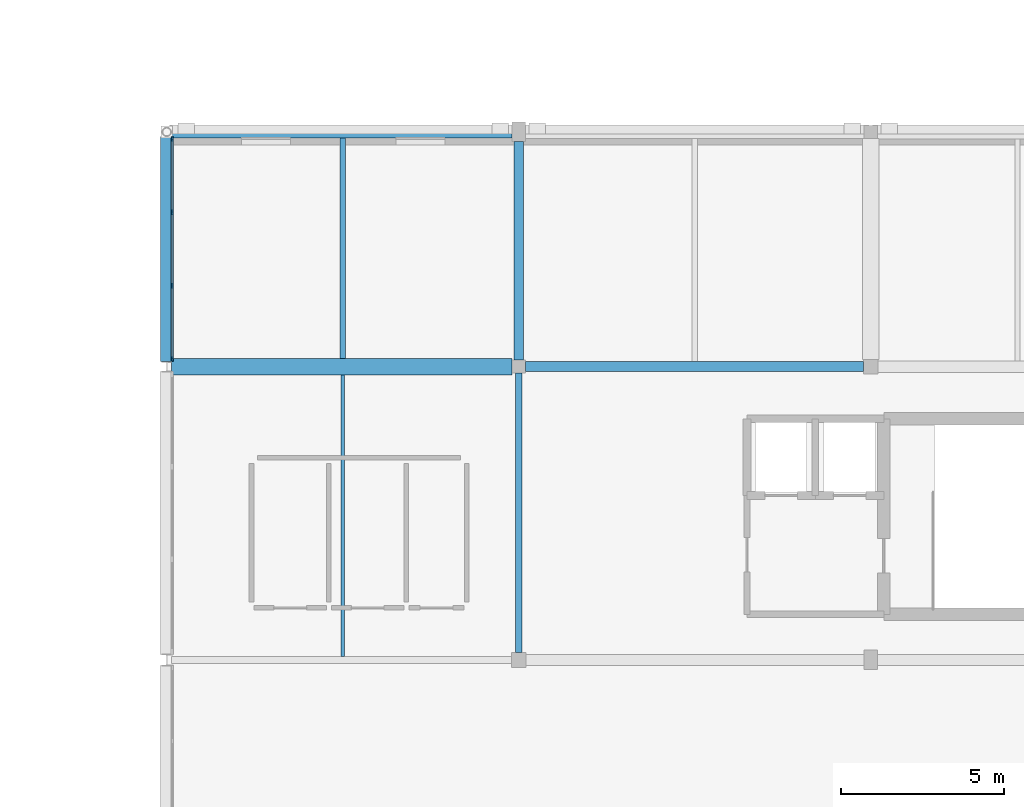
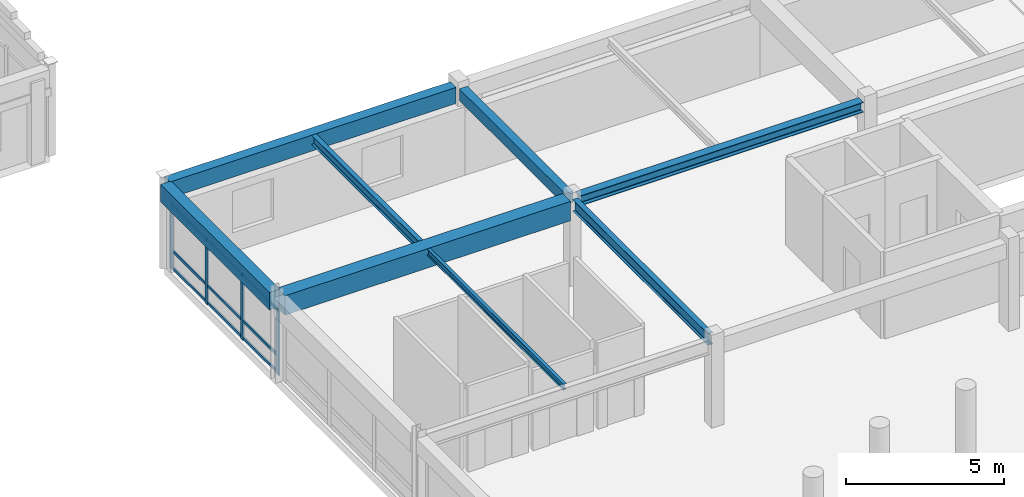
# One storey, part 20 of 52: 13 members, 8 beams, 1 element without a shape of its own.
"""IFC4 building model written with IfcOpenShell, lengths in metres."""

from ifc_helpers import new_model, si_unit, direction, frame, origin, origin_2d, place, context, subcontext, project, spatial, rectangle, i_section, extrude, material, material_profile, profile_set, type_object, element, aggregate, save


model = new_model("IFC4")

# Units and contexts
model_context = context("Model", 3, precision=1e-05, world=origin(), true_north=direction((0.0, 1.0)))
body_context = subcontext(model_context, "Body", "Model", "MODEL_VIEW")
ifc_project = project(units=[si_unit("LENGTHUNIT", "METRE"), si_unit("AREAUNIT", "SQUARE_METRE"), si_unit("VOLUMEUNIT", "CUBIC_METRE"), si_unit("PLANEANGLEUNIT", "RADIAN"), si_unit("MASSUNIT", "GRAM", prefix="KILO")], contexts=[model_context])

# Site, building, storey
site_placement = place(None, origin())
site = spatial("IfcSite", under=ifc_project, at=site_placement, CompositionType="ELEMENT")
building_placement = place(site_placement, origin())
building = spatial("IfcBuilding", under=site, at=building_placement, Name="Clarverna Civic Hall", CompositionType="ELEMENT")
storey_placement = place(building_placement, frame((0.0, 0.0, 16.800048828125)))
storey = spatial("IfcBuildingStorey", under=building, at=storey_placement, Name="L04", CompositionType="ELEMENT", Elevation=16.800048828125)

# Beams
ifc_material_1 = material(Name="Concrete C35/45", Category="concrete")
ifc_material_profile_1 = material_profile(ifc_material_1, rectangle(XDim=0.5, YDim=0.75, at=origin_2d()), Name="RC 500x750")
ifc_profile_set_1 = profile_set([ifc_material_profile_1], Name="Concrete C35/45")
beam_type_1 = type_object("IfcBeamType", Name="B-RC15", PredefinedType="BEAM", material=ifc_profile_set_1)
beam_1_placement = place(storey_placement, frame((66.75, 87.800048828125, 2.96484375), z_axis=(1.0, 0.0, 0.0), x_axis=(0.0, 1.0, 0.0)))
element("IfcBeam", 1, at=beam_1_placement, inside=storey, type_object=beam_type_1, Name="B-RC15-046", PredefinedType="BEAM", context=body_context, shape_type="SweptSolid", body=[
    extrude(rectangle(XDim=0.5, YDim=0.75, at=origin_2d()), origin(), (0.0, 0.0, 1.0), 10.449951171875),
])
ifc_material_profile_2 = material_profile(ifc_material_1, rectangle(XDim=0.300048828125, YDim=0.449951171875, at=origin_2d()), Name="RC 300x450")
ifc_profile_set_2 = profile_set([ifc_material_profile_2], Name="Concrete C35/45")
beam_type_2 = type_object("IfcBeamType", Name="B-RC18", PredefinedType="BEAM", material=ifc_profile_set_2)
beam_2_placement = place(storey_placement, frame((77.39990234375, 88.0, 3.114990234375), z_axis=(0.0, 1.0, 0.0), x_axis=(-1.0, 0.0, 0.0)))
element("IfcBeam", 2, at=beam_2_placement, inside=storey, type_object=beam_type_2, Name="B-RC18-042", PredefinedType="BEAM", context=body_context, shape_type="SweptSolid", body=[
    extrude(rectangle(XDim=0.300048828125, YDim=0.449951171875, at=origin_2d()), origin(), (0.0, 0.0, 1.0), 6.699951171875),
])
ifc_material_profile_3 = material_profile(ifc_material_1, rectangle(XDim=0.3798828125, YDim=0.679931640625, at=origin_2d()), Name="RC 380x680")
ifc_profile_set_3 = profile_set([ifc_material_profile_3], Name="Concrete C35/45")
beam_type_3 = type_object("IfcBeamType", Name="B-SP2", PredefinedType="SPANDREL", material=ifc_profile_set_3)
beam_3_placement = place(storey_placement, frame((66.60009765625, 87.955078125, 3.0), z_axis=(0.0, 1.0, 0.0), x_axis=(-1.0, 0.0, 0.0)))
element("IfcBeam", 3, at=beam_3_placement, inside=storey, type_object=beam_type_3, Name="B-SP2-146", PredefinedType="SPANDREL", context=body_context, shape_type="SweptSolid", body=[
    extrude(rectangle(XDim=0.3798828125, YDim=0.679931640625, at=origin_2d()), origin(), (0.0, 0.0, 1.0), 6.908447265625),
])
ifc_material_profile_4 = material_profile(ifc_material_1, rectangle(XDim=0.360107421875, YDim=0.6201171875, at=origin_2d()), Name="RC 360x620")
ifc_profile_set_4 = profile_set([ifc_material_profile_4], Name="Concrete C35/45")
beam_type_4 = type_object("IfcBeamType", Name="B-SP3", PredefinedType="SPANDREL", material=ifc_profile_set_4)
beam_4_placement = place(storey_placement, frame((66.736572265625, 95.0, 3.030029296875), z_axis=(1.0, 0.0, 0.0), x_axis=(0.0, 1.0, 0.0)))
element("IfcBeam", 4, at=beam_4_placement, inside=storey, type_object=beam_type_4, Name="B-SP3-133", PredefinedType="SPANDREL", context=body_context, shape_type="SweptSolid", body=[
    extrude(rectangle(XDim=0.360107421875, YDim=0.6201171875, at=origin_2d()), origin(), (0.0, 0.0, 1.0), 10.46337890625),
])
ifc_material_2 = material(Name="Steel S355", Category="steel")
ifc_material_profile_5 = material_profile(ifc_material_2, i_section(OverallWidth=0.18994140625, OverallDepth=0.449951171875, WebThickness=0.009521484375, FlangeThickness=0.0146484375, FilletRadius=0.02099609375, at=origin_2d()), Name="IPE 450")
ifc_profile_set_5 = profile_set([ifc_material_profile_5], Name="Steel S355")
beam_type_5 = type_object("IfcBeamType", Name="B-ST13", PredefinedType="BEAM", material=ifc_profile_set_5)
beam_5_placement = place(storey_placement, frame((77.39990234375, 79.02490234375, 3.114990234375), z_axis=(0.0, 1.0, 0.0), x_axis=(-1.0, 0.0, 0.0)))
element("IfcBeam", 5, at=beam_5_placement, inside=storey, type_object=beam_type_5, Name="B-ST13-022", PredefinedType="BEAM", context=body_context, shape_type="SweptSolid", body=[
    extrude(i_section(OverallWidth=0.18994140625, OverallDepth=0.449951171875, WebThickness=0.009521484375, FlangeThickness=0.0146484375, FilletRadius=0.02099609375, at=origin_2d()), origin(), (0.0, 0.0, 1.0), 8.5751953125),
])
ifc_material_profile_6 = material_profile(ifc_material_2, i_section(OverallWidth=0.300048828125, OverallDepth=0.389892578125, WebThickness=0.010986328125, FlangeThickness=0.01904296875, FilletRadius=0.027099609375, at=origin_2d()), Name="HEA 400")
ifc_profile_set_6 = profile_set([ifc_material_profile_6], Name="Steel S355")
beam_type_6 = type_object("IfcBeamType", Name="B-ST6", PredefinedType="BEAM", material=ifc_profile_set_6)
beam_6_placement = place(storey_placement, frame((77.60009765625, 87.800048828125, 3.14501953125), z_axis=(1.0, 0.0, 0.0), x_axis=(0.0, 1.0, 0.0)))
element("IfcBeam", 6, at=beam_6_placement, inside=storey, type_object=beam_type_6, Name="B-ST6-018", PredefinedType="BEAM", context=body_context, shape_type="SweptSolid", body=[
    extrude(i_section(OverallWidth=0.300048828125, OverallDepth=0.389892578125, WebThickness=0.010986328125, FlangeThickness=0.01904296875, FilletRadius=0.027099609375, at=origin_2d()), origin(), (0.0, 0.0, 1.0), 10.375),
])

# Curtain wall, members
ifc_material_3 = material(Name="Anodised Bronze Architectural Aluminium", Category="aluminium")
curtain_wall_type = type_object("IfcCurtainWallType", Name="CW-06", PredefinedType="USERDEFINED", material=ifc_material_3)
curtain_wall_placement = place(storey_placement, origin())
curtain_wall = element("IfcCurtainWall", 7, at=curtain_wall_placement, inside=storey, type_object=curtain_wall_type, Name="CW-06-006", ObjectType="UNITISED CURTAIN WALL", PredefinedType="USERDEFINED")
ifc_material_profile_7 = material_profile(ifc_material_3, rectangle(XDim=0.054931640625, YDim=0.139892578125, at=origin_2d()), Name="BRONZE 55x140")
ifc_profile_set_7 = profile_set([ifc_material_profile_7], Name="Anodised Bronze Architectural Aluminium")
member_type_1 = type_object("IfcMemberType", Name="CWM-04", PredefinedType="MULLION", material=ifc_profile_set_7)
member_1_placement = place(storey_placement, frame((66.764892578125, 88.028076171875, 0.0), z_axis=(0.0, 0.0, 1.0), x_axis=(1.0, 0.0, 0.0)))
member_1 = element("IfcMember", 8, at=member_1_placement, type_object=member_type_1, Name="CWM-04-207", PredefinedType="MULLION", context=body_context, shape_type="SweptSolid", body=[
    extrude(rectangle(XDim=0.054931640625, YDim=0.139892578125, at=origin_2d()), origin(), (0.0, 0.0, 1.0), 2.58984375),
])
member_2_placement = place(storey_placement, frame((66.764892578125, 90.2822265625, 0.0), z_axis=(0.0, 0.0, 1.0), x_axis=(1.0, 0.0, 0.0)))
member_2 = element("IfcMember", 9, at=member_2_placement, type_object=member_type_1, Name="CWM-04-208", PredefinedType="MULLION", context=body_context, shape_type="SweptSolid", body=[
    extrude(rectangle(XDim=0.054931640625, YDim=0.139892578125, at=origin_2d()), origin(), (0.0, 0.0, 1.0), 2.58984375),
])
member_3_placement = place(storey_placement, frame((66.764892578125, 92.536376953125, 0.0), z_axis=(0.0, 0.0, 1.0), x_axis=(1.0, 0.0, 0.0)))
member_3 = element("IfcMember", 10, at=member_3_placement, type_object=member_type_1, Name="CWM-04-209", PredefinedType="MULLION", context=body_context, shape_type="SweptSolid", body=[
    extrude(rectangle(XDim=0.054931640625, YDim=0.139892578125, at=origin_2d()), origin(), (0.0, 0.0, 1.0), 2.58984375),
])
member_4_placement = place(storey_placement, frame((66.764892578125, 94.79052734375, 0.0), z_axis=(0.0, 0.0, 1.0), x_axis=(1.0, 0.0, 0.0)))
member_4 = element("IfcMember", 11, at=member_4_placement, type_object=member_type_1, Name="CWM-04-210", PredefinedType="MULLION", context=body_context, shape_type="SweptSolid", body=[
    extrude(rectangle(XDim=0.054931640625, YDim=0.139892578125, at=origin_2d()), origin(), (0.0, 0.0, 1.0), 2.58984375),
])
ifc_material_profile_8 = material_profile(ifc_material_3, rectangle(XDim=0.054931640625, YDim=0.110107421875, at=origin_2d()), Name="BRONZE 55x110")
ifc_profile_set_8 = profile_set([ifc_material_profile_8], Name="Anodised Bronze Architectural Aluminium")
member_type_2 = type_object("IfcMemberType", Name="CWT-04", PredefinedType="USERDEFINED", material=ifc_profile_set_8)
member_5_placement = place(storey_placement, frame((66.764892578125, 88.04296875, 0.094970703125), z_axis=(0.0, 1.0, 0.0), x_axis=(-1.0, 0.0, 0.0)))
member_5 = element("IfcMember", 12, at=member_5_placement, type_object=member_type_2, Name="CWT-04-439", ObjectType="TRANSOM", PredefinedType="USERDEFINED", context=body_context, shape_type="SweptSolid", body=[
    extrude(rectangle(XDim=0.054931640625, YDim=0.110107421875, at=origin_2d()), origin(), (0.0, 0.0, 1.0), 2.22412109375),
])
member_6_placement = place(storey_placement, frame((66.764892578125, 88.04296875, 0.75), z_axis=(0.0, 1.0, 0.0), x_axis=(-1.0, 0.0, 0.0)))
member_6 = element("IfcMember", 13, at=member_6_placement, type_object=member_type_2, Name="CWT-04-440", ObjectType="TRANSOM", PredefinedType="USERDEFINED", context=body_context, shape_type="SweptSolid", body=[
    extrude(rectangle(XDim=0.054931640625, YDim=0.110107421875, at=origin_2d()), origin(), (0.0, 0.0, 1.0), 2.22412109375),
])
member_7_placement = place(storey_placement, frame((66.764892578125, 88.04296875, 2.494873046875), z_axis=(0.0, 1.0, 0.0), x_axis=(-1.0, 0.0, 0.0)))
member_7 = element("IfcMember", 14, at=member_7_placement, type_object=member_type_2, Name="CWT-04-441", ObjectType="TRANSOM", PredefinedType="USERDEFINED", context=body_context, shape_type="SweptSolid", body=[
    extrude(rectangle(XDim=0.054931640625, YDim=0.110107421875, at=origin_2d()), origin(), (0.0, 0.0, 1.0), 2.22412109375),
])
member_8_placement = place(storey_placement, frame((66.764892578125, 90.297119140625, 0.094970703125), z_axis=(0.0, 1.0, 0.0), x_axis=(-1.0, 0.0, 0.0)))
member_8 = element("IfcMember", 15, at=member_8_placement, type_object=member_type_2, Name="CWT-04-442", ObjectType="TRANSOM", PredefinedType="USERDEFINED", context=body_context, shape_type="SweptSolid", body=[
    extrude(rectangle(XDim=0.054931640625, YDim=0.110107421875, at=origin_2d()), origin(), (0.0, 0.0, 1.0), 2.22412109375),
])
member_9_placement = place(storey_placement, frame((66.764892578125, 90.297119140625, 0.75), z_axis=(0.0, 1.0, 0.0), x_axis=(-1.0, 0.0, 0.0)))
member_9 = element("IfcMember", 16, at=member_9_placement, type_object=member_type_2, Name="CWT-04-443", ObjectType="TRANSOM", PredefinedType="USERDEFINED", context=body_context, shape_type="SweptSolid", body=[
    extrude(rectangle(XDim=0.054931640625, YDim=0.110107421875, at=origin_2d()), origin(), (0.0, 0.0, 1.0), 2.22412109375),
])
member_10_placement = place(storey_placement, frame((66.764892578125, 90.297119140625, 2.494873046875), z_axis=(0.0, 1.0, 0.0), x_axis=(-1.0, 0.0, 0.0)))
member_10 = element("IfcMember", 17, at=member_10_placement, type_object=member_type_2, Name="CWT-04-444", ObjectType="TRANSOM", PredefinedType="USERDEFINED", context=body_context, shape_type="SweptSolid", body=[
    extrude(rectangle(XDim=0.054931640625, YDim=0.110107421875, at=origin_2d()), origin(), (0.0, 0.0, 1.0), 2.22412109375),
])
member_11_placement = place(storey_placement, frame((66.764892578125, 92.55126953125, 0.094970703125), z_axis=(0.0, 1.0, 0.0), x_axis=(-1.0, 0.0, 0.0)))
member_11 = element("IfcMember", 18, at=member_11_placement, type_object=member_type_2, Name="CWT-04-445", ObjectType="TRANSOM", PredefinedType="USERDEFINED", context=body_context, shape_type="SweptSolid", body=[
    extrude(rectangle(XDim=0.054931640625, YDim=0.110107421875, at=origin_2d()), origin(), (0.0, 0.0, 1.0), 2.22412109375),
])
member_12_placement = place(storey_placement, frame((66.764892578125, 92.55126953125, 0.75), z_axis=(0.0, 1.0, 0.0), x_axis=(-1.0, 0.0, 0.0)))
member_12 = element("IfcMember", 19, at=member_12_placement, type_object=member_type_2, Name="CWT-04-446", ObjectType="TRANSOM", PredefinedType="USERDEFINED", context=body_context, shape_type="SweptSolid", body=[
    extrude(rectangle(XDim=0.054931640625, YDim=0.110107421875, at=origin_2d()), origin(), (0.0, 0.0, 1.0), 2.22412109375),
])
member_13_placement = place(storey_placement, frame((66.764892578125, 92.55126953125, 2.494873046875), z_axis=(0.0, 1.0, 0.0), x_axis=(-1.0, 0.0, 0.0)))
member_13 = element("IfcMember", 20, at=member_13_placement, type_object=member_type_2, Name="CWT-04-447", ObjectType="TRANSOM", PredefinedType="USERDEFINED", context=body_context, shape_type="SweptSolid", body=[
    extrude(rectangle(XDim=0.054931640625, YDim=0.110107421875, at=origin_2d()), origin(), (0.0, 0.0, 1.0), 2.22412109375),
])
aggregate(curtain_wall, [member_1, member_2, member_3, member_4, member_5, member_6, member_7, member_8, member_9, member_10, member_11, member_12, member_13])

# Beams
ifc_material_profile_9 = material_profile(ifc_material_2, i_section(OverallWidth=0.169921875, OverallDepth=0.360107421875, WebThickness=0.008056640625, FlangeThickness=0.0126953125, FilletRadius=0.01806640625, at=origin_2d()), Name="IPE 360")
ifc_profile_set_9 = profile_set([ifc_material_profile_9], Name="Steel S355")
beam_type_7 = type_object("IfcBeamType", Name="J-ST1", PredefinedType="JOIST", material=ifc_profile_set_9)
beam_7_placement = place(storey_placement, frame((72.0, 88.050048828125, 3.159912109375), z_axis=(0.0, 1.0, 0.0), x_axis=(-1.0, 0.0, 0.0)))
element("IfcBeam", 21, at=beam_7_placement, inside=storey, type_object=beam_type_7, Name="J-ST1-067", PredefinedType="JOIST", context=body_context, shape_type="SweptSolid", body=[
    extrude(i_section(OverallWidth=0.169921875, OverallDepth=0.360107421875, WebThickness=0.008056640625, FlangeThickness=0.0126953125, FilletRadius=0.01806640625, at=origin_2d()), origin(), (0.0, 0.0, 1.0), 6.77001953125),
])
ifc_material_profile_10 = material_profile(ifc_material_2, i_section(OverallWidth=0.1201171875, OverallDepth=0.239990234375, WebThickness=0.006103515625, FlangeThickness=0.009765625, FilletRadius=0.014892578125, at=origin_2d()), Name="IPE 240")
ifc_profile_set_10 = profile_set([ifc_material_profile_10], Name="Steel S355")
beam_type_8 = type_object("IfcBeamType", Name="J-ST5", PredefinedType="JOIST", material=ifc_profile_set_10)
beam_8_placement = place(storey_placement, frame((72.0, 78.905029296875, 3.219970703125), z_axis=(0.0, 1.0, 0.0), x_axis=(-1.0, 0.0, 0.0)))
element("IfcBeam", 22, at=beam_8_placement, inside=storey, type_object=beam_type_8, Name="J-ST5-067", PredefinedType="JOIST", context=body_context, shape_type="SweptSolid", body=[
    extrude(i_section(OverallWidth=0.1201171875, OverallDepth=0.239990234375, WebThickness=0.006103515625, FlangeThickness=0.009765625, FilletRadius=0.014892578125, at=origin_2d()), origin(), (0.0, 0.0, 1.0), 8.64501953125),
])

save(model, "model.ifc")
